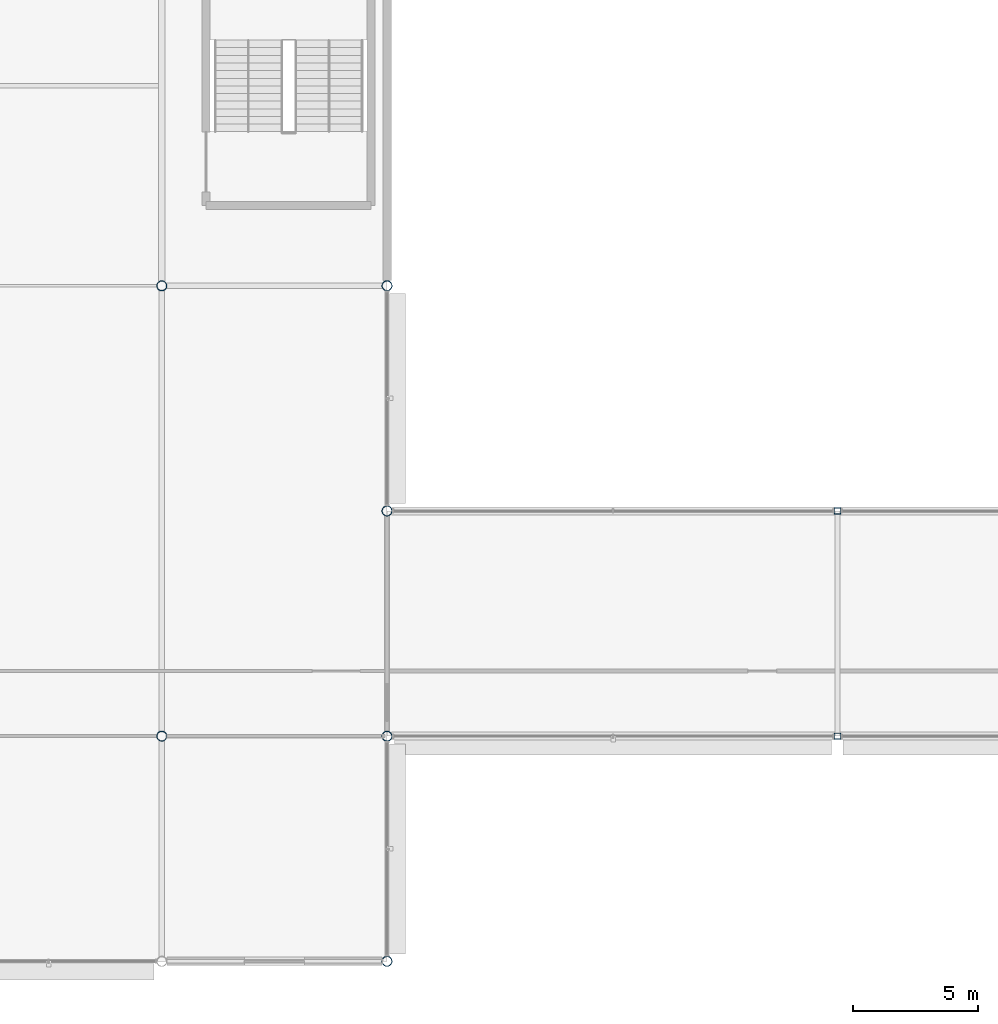
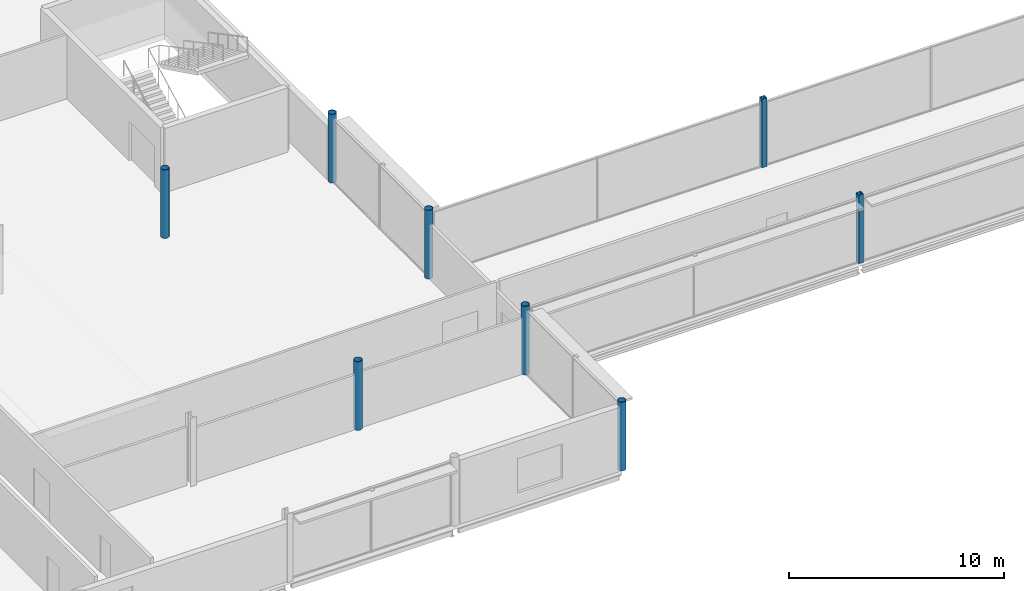
# One storey, part 2 of 96: 8 columns.
"""IFC4 building model written with IfcOpenShell, lengths in metres."""

from ifc_helpers import new_model, si_unit, direction, frame, origin, origin_2d, place, context, subcontext, project, spatial, hollow_rectangle, hollow_circle, extrude, material, material_profile, profile_set, type_object, element, save


model = new_model("IFC4")

# Units and contexts
model_context = context("Model", 3, precision=1e-05, world=origin(), true_north=direction((0.0, 1.0)))
body_context = subcontext(model_context, "Body", "Model", "MODEL_VIEW")
ifc_project = project(units=[si_unit("LENGTHUNIT", "METRE"), si_unit("AREAUNIT", "SQUARE_METRE"), si_unit("VOLUMEUNIT", "CUBIC_METRE"), si_unit("PLANEANGLEUNIT", "RADIAN"), si_unit("MASSUNIT", "GRAM", prefix="KILO")], contexts=[model_context])

# Site, building, storey
site_placement = place(None, origin())
site = spatial("IfcSite", under=ifc_project, at=site_placement, CompositionType="ELEMENT")
building_placement = place(site_placement, origin())
building = spatial("IfcBuilding", under=site, at=building_placement, Name="Kisiwana Market Hall", CompositionType="ELEMENT")
storey_placement = place(building_placement, frame((0.0, 0.0, 25.5)))
storey = spatial("IfcBuildingStorey", under=building, at=storey_placement, Name="L05", CompositionType="ELEMENT", Elevation=25.5)

# Columns
ifc_material_1 = material(Name="Steel S355", Category="steel")
ifc_material_profile_1 = material_profile(ifc_material_1, hollow_circle(Radius=0.203125, WallThickness=0.01611328125, at=origin_2d()), Name="CHS 406.4x16")
ifc_profile_set_1 = profile_set([ifc_material_profile_1], Name="Steel S355")
column_type_1 = type_object("IfcColumnType", Name="COL-STL-CHS406", PredefinedType="COLUMN", material=ifc_profile_set_1)
for number, where, z_axis, x_axis, name in (
    (1, (36.0, 18.0, 0.0), (0.0, 0.0, 1.0), (1.0, 0.0, 0.0), "Column C/5 (L05) C-0903"),
    (2, (36.0, 36.0, 0.0), (0.0, 0.0, 1.0), (1.0, 0.0, 0.0), "Column E/5 (L05) C-0904"),
    (3, (45.0, 9.0, 0.0), (0.0, 0.0, 1.0), (1.0, 0.0, 0.0), "Column B/6 (L05) C-0908"),
    (4, (45.0, 18.0, 0.0), (0.0, 0.0, 1.0), (1.0, 0.0, 0.0), "Column C/6 (L05) C-0909"),
    (5, (45.0, 27.0, 0.0), (0.0, 0.0, 1.0), (1.0, 0.0, 0.0), "Column D/6 (L05) C-0910"),
    (6, (45.0, 36.0, 0.0), (0.0, 0.0, 1.0), (1.0, 0.0, 0.0), "Column E/6 (L05) C-0911"),
):
    element("IfcColumn", number, at=place(storey_placement, frame(where, z_axis=z_axis, x_axis=x_axis)), inside=storey, type_object=column_type_1, Name=name, PredefinedType="COLUMN", context=body_context, shape_type="SweptSolid", body=[
        extrude(hollow_circle(Radius=0.203125, WallThickness=0.01611328125, at=origin_2d()), origin(), (0.0, 0.0, 1.0), 3.89990234375),
    ])
ifc_material_2 = material(Name="Steel S355", Category="steel")
ifc_material_profile_2 = material_profile(ifc_material_2, hollow_rectangle(XDim=0.25, YDim=0.25, WallThickness=0.012451171875, at=origin_2d()), Name="SHS 250x250x12.5")
ifc_profile_set_2 = profile_set([ifc_material_profile_2], Name="Steel S355")
column_type_2 = type_object("IfcColumnType", Name="COL-STL-SHS250", PredefinedType="COLUMN", material=ifc_profile_set_2)
for number, where, z_axis, x_axis, name in (
    (7, (63.0, 18.0, 0.0), (0.0, 0.0, 1.0), (1.0, 0.0, 0.0), "Column C/8 (L05) C-0917"),
    (8, (63.0, 27.0, 0.0), (0.0, 0.0, 1.0), (1.0, 0.0, 0.0), "Column D/8 (L05) C-0918"),
):
    element("IfcColumn", number, at=place(storey_placement, frame(where, z_axis=z_axis, x_axis=x_axis)), inside=storey, type_object=column_type_2, Name=name, PredefinedType="COLUMN", context=body_context, shape_type="SweptSolid", body=[
        extrude(hollow_rectangle(XDim=0.25, YDim=0.25, WallThickness=0.012451171875, at=origin_2d()), origin(), (0.0, 0.0, 1.0), 3.89990234375),
    ])

save(model, "model.ifc")
